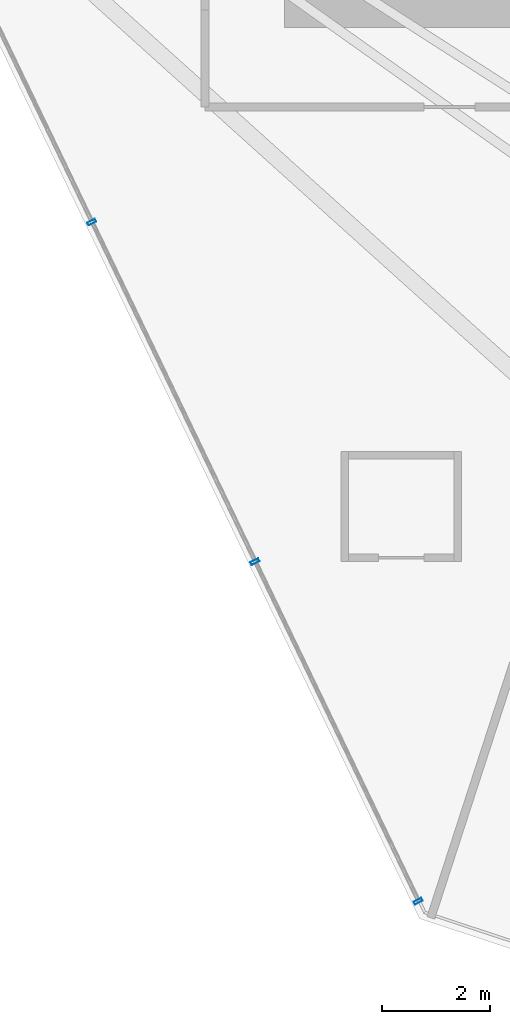
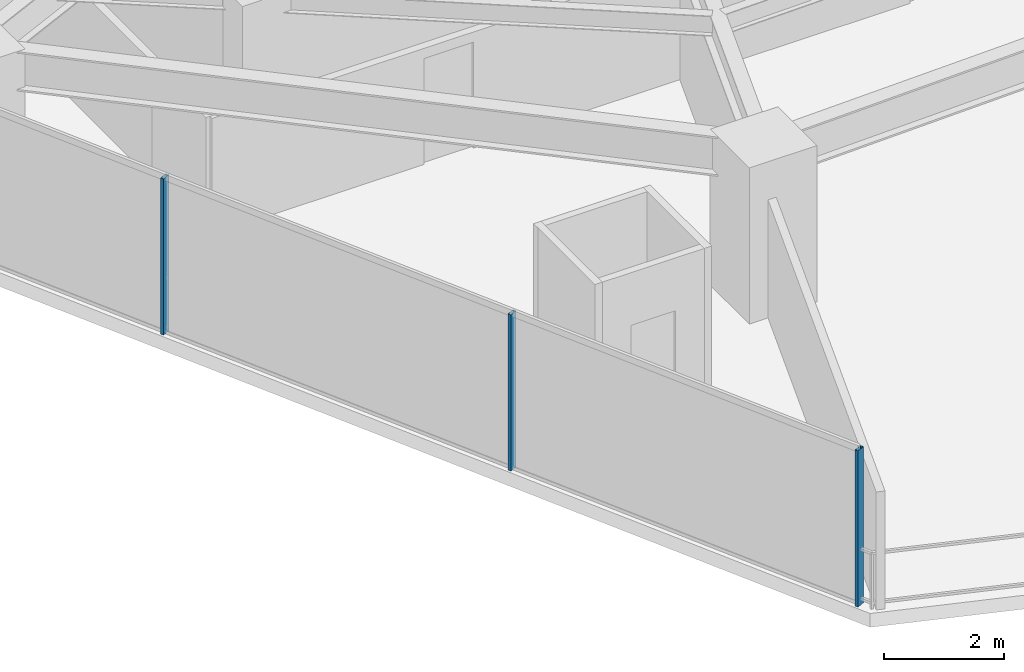
# One storey, part 3 of 30: 3 members, 1 element without a shape of its own.
"""IFC4 building model written with IfcOpenShell, lengths in metres."""

from ifc_helpers import new_model, si_unit, direction, frame, origin, origin_2d, place, context, subcontext, project, spatial, hollow_rectangle, extrude, material, layer, layer_set, material_profile, profile_set, type_object, element, aggregate, save


model = new_model("IFC4")

# Units and contexts
model_context = context("Model", 3, precision=1e-05, world=origin(), true_north=direction((0.0, 1.0)))
body_context = subcontext(model_context, "Body", "Model", "MODEL_VIEW")
ifc_project = project(units=[si_unit("LENGTHUNIT", "METRE"), si_unit("AREAUNIT", "SQUARE_METRE"), si_unit("VOLUMEUNIT", "CUBIC_METRE"), si_unit("PLANEANGLEUNIT", "RADIAN"), si_unit("MASSUNIT", "GRAM", prefix="KILO")], contexts=[model_context])

# Site, building, storey
site_placement = place(None, origin())
site = spatial("IfcSite", under=ifc_project, at=site_placement, CompositionType="ELEMENT")
building_placement = place(site_placement, origin())
building = spatial("IfcBuilding", under=site, at=building_placement, Name="Qarnah Convention Tower", CompositionType="ELEMENT")
storey_placement = place(building_placement, frame((0.0, 0.0, 51.14990234375)))
storey = spatial("IfcBuildingStorey", under=building, at=storey_placement, Name="L12", CompositionType="ELEMENT", Elevation=51.14990234375)

# Curtain wall, members
ifc_material_1 = material(Name="Tempered Low-E dark glass", Category="glass")
ifc_layer = layer(ifc_material_1, 0.16796875)
ifc_layer_set = layer_set([ifc_layer], Name="Tempered Low-E dark glass")
curtain_wall_type = type_object("IfcCurtainWallType", Name="CWS-01", PredefinedType="NOTDEFINED", material=ifc_layer_set)
curtain_wall_placement = place(storey_placement, origin())
curtain_wall = element("IfcCurtainWall", 1, at=curtain_wall_placement, inside=storey, type_object=curtain_wall_type, Name="L12 unitised curtain wall CW-L12-F1", PredefinedType="NOTDEFINED")
ifc_material_2 = material(Name="Black anodised aluminium", Category="aluminium")
ifc_material_profile = material_profile(ifc_material_2, hollow_rectangle(XDim=0.06005859375, YDim=0.159912109375, WallThickness=0.00390625, at=origin_2d()), Name="MUL-60X160")
ifc_profile_set = profile_set([ifc_material_profile], Name="Black anodised aluminium")
member_type = type_object("IfcMemberType", Name="MUL-T1", PredefinedType="MULLION", material=ifc_profile_set)
member_1_placement = place(storey_placement, frame((28.9580078125, 2.06201171875, 0.0), z_axis=(0.0, 0.0, 1.0), x_axis=(-0.433348502492, 0.901226428479, 0.0)))
member_1 = element("IfcMember", 2, at=member_1_placement, type_object=member_type, Name="CW-L12-F1 mullion 1", PredefinedType="MULLION", context=body_context, shape_type="SweptSolid", body=[
    extrude(hollow_rectangle(XDim=0.06005859375, YDim=0.159912109375, WallThickness=0.00390625, at=origin_2d()), origin(), (0.0, 0.0, 1.0), 3.170166015625),
])
member_2_placement = place(storey_placement, frame((25.928466796875, 8.362548828125, 0.0), z_axis=(0.0, 0.0, 1.0), x_axis=(-0.433348502492, 0.901226428479, 0.0)))
member_2 = element("IfcMember", 3, at=member_2_placement, type_object=member_type, Name="CW-L12-F1 mullion 2", PredefinedType="MULLION", context=body_context, shape_type="SweptSolid", body=[
    extrude(hollow_rectangle(XDim=0.06005859375, YDim=0.159912109375, WallThickness=0.00390625, at=origin_2d()), origin(), (0.0, 0.0, 1.0), 3.170166015625),
])
member_3_placement = place(storey_placement, frame((22.898681640625, 14.6630859375, 0.0), z_axis=(0.0, 0.0, 1.0), x_axis=(-0.433348502492, 0.901226428479, 0.0)))
member_3 = element("IfcMember", 4, at=member_3_placement, type_object=member_type, Name="CW-L12-F1 mullion 3", PredefinedType="MULLION", context=body_context, shape_type="SweptSolid", body=[
    extrude(hollow_rectangle(XDim=0.06005859375, YDim=0.159912109375, WallThickness=0.00390625, at=origin_2d()), origin(), (0.0, 0.0, 1.0), 3.170166015625),
])
aggregate(curtain_wall, [member_1, member_2, member_3])

save(model, "model.ifc")
